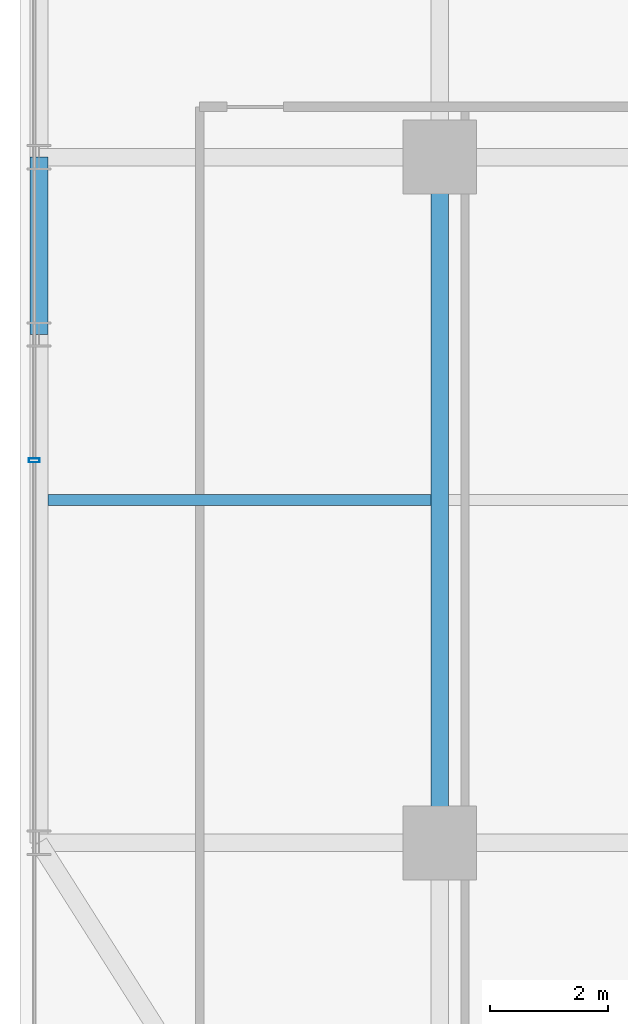
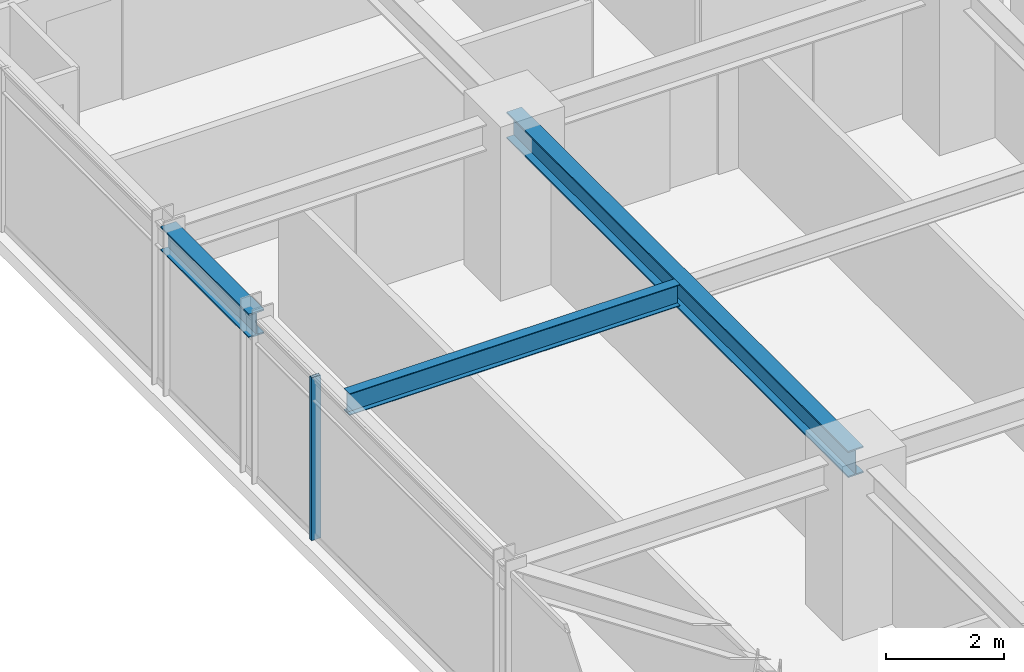
# One storey, part 7 of 33: 3 beams, 1 member, 1 element without a shape of its own.
"""IFC4 building model written with IfcOpenShell, lengths in metres."""

from ifc_helpers import new_model, si_unit, direction, frame, origin, origin_2d, place, context, subcontext, project, spatial, hollow_rectangle, i_section, extrude, source, transform, mapped, material, material_profile, profile_set, type_object, element, aggregate, save


model = new_model("IFC4")

# Units and contexts
model_context = context("Model", 3, precision=1e-05, world=origin(), true_north=direction((0.0, 1.0)))
body_context = subcontext(model_context, "Body", "Model", "MODEL_VIEW")
ifc_project = project(units=[si_unit("LENGTHUNIT", "METRE"), si_unit("AREAUNIT", "SQUARE_METRE"), si_unit("VOLUMEUNIT", "CUBIC_METRE"), si_unit("PLANEANGLEUNIT", "RADIAN"), si_unit("MASSUNIT", "GRAM", prefix="KILO")], contexts=[model_context])

# Site, building, storey
site_placement = place(None, origin())
site = spatial("IfcSite", under=ifc_project, at=site_placement, CompositionType="ELEMENT")
building_placement = place(site_placement, origin())
building = spatial("IfcBuilding", under=site, at=building_placement, Name="Nahalor Promenade Grand Hotel", CompositionType="ELEMENT")
storey_placement = place(building_placement, frame((0.0, 0.0, 117.5)))
storey = spatial("IfcBuildingStorey", under=building, at=storey_placement, Name="L29", CompositionType="ELEMENT", Elevation=117.5)

# Beams
ifc_material_1 = material(Name="Steel S355JR", Category="steel")
ifc_material_profile_1 = material_profile(ifc_material_1, i_section(OverallWidth=0.3, OverallDepth=0.5, WebThickness=0.0145, FlangeThickness=0.028, at=origin_2d()), Name="HEB 500")
ifc_profile_set_1 = profile_set([ifc_material_profile_1], Name="Steel S355JR")
beam_type_1 = type_object("IfcBeamType", Name="Beam-Spandrel-HEB500", PredefinedType="SPANDREL", material=ifc_profile_set_1)
shared_shape_1 = source(origin(), body_context, "Body", "SweptSolid", [
    extrude(i_section(OverallWidth=0.3, OverallDepth=0.5, WebThickness=0.0145, FlangeThickness=0.028, at=origin_2d()), origin(), (0.0, 0.0, 1.0), 3.0),
])
beam_1_placement = place(storey_placement, frame((-23.780029296875, -8.39990234375, 3.1298828125), z_axis=(0.0, 1.0, 0.0), x_axis=(-1.0, 0.0, 0.0)))
element("IfcBeam", 1, at=beam_1_placement, inside=storey, type_object=beam_type_1, Name="BM-L29-SP-W-1", PredefinedType="SPANDREL", context=body_context, shape_type="MappedRepresentation", body=[
    mapped(shared_shape_1, transform((0.0, 0.0, 0.0), scale=1.0)),
])
ifc_material_profile_2 = material_profile(ifc_material_1, i_section(OverallWidth=0.3, OverallDepth=0.55, WebThickness=0.015, FlangeThickness=0.029, at=origin_2d()), Name="HEB 550")
ifc_profile_set_2 = profile_set([ifc_material_profile_2], Name="Steel S355JR")
beam_type_2 = type_object("IfcBeamType", Name="Beam-Girder-HEB550", PredefinedType="BEAM", material=ifc_profile_set_2)
shared_shape_2 = source(origin(), body_context, "Body", "SweptSolid", [
    extrude(i_section(OverallWidth=0.3, OverallDepth=0.55, WebThickness=0.015, FlangeThickness=0.029, at=origin_2d()), origin(), (0.0, 0.0, 1.0), 11.60009765625),
])
beam_2_placement = place(storey_placement, frame((-17.0, -17.0, 3.10498046875), z_axis=(0.0, 1.0, 0.0), x_axis=(-1.0, 0.0, 0.0)))
element("IfcBeam", 2, at=beam_2_placement, inside=storey, type_object=beam_type_2, Name="BM-L29-GY-0-1", PredefinedType="BEAM", context=body_context, shape_type="MappedRepresentation", body=[
    mapped(shared_shape_2, transform((0.0, 0.0, 0.0), scale=1.0)),
])
ifc_material_profile_3 = material_profile(ifc_material_1, i_section(OverallWidth=0.19, OverallDepth=0.45, WebThickness=0.0094, FlangeThickness=0.0146, at=origin_2d()), Name="IPE 450")
ifc_profile_set_3 = profile_set([ifc_material_profile_3], Name="Steel S355JR")
beam_type_3 = type_object("IfcBeamType", Name="Beam-Joist-IPE450", PredefinedType="JOIST", material=ifc_profile_set_3)
shared_shape_3 = source(origin(), body_context, "Body", "SweptSolid", [
    extrude(i_section(OverallWidth=0.19, OverallDepth=0.45, WebThickness=0.0094, FlangeThickness=0.0146, at=origin_2d()), origin(), (0.0, 0.0, 1.0), 6.47998046875),
])
beam_3_placement = place(storey_placement, frame((-23.6298828125, -11.199951171875, 3.155029296875), z_axis=(1.0, 0.0, 0.0), x_axis=(0.0, 1.0, 0.0)))
element("IfcBeam", 3, at=beam_3_placement, inside=storey, type_object=beam_type_3, Name="BM-L29-JSW-0-0", PredefinedType="JOIST", context=body_context, shape_type="MappedRepresentation", body=[
    mapped(shared_shape_3, transform((0.0, 0.0, 0.0), scale=1.0)),
])

# Curtain wall, member
ifc_material_2 = material(Name="Anodised Bronze Aluminium EN AW-6063 T6", Category="aluminium")
curtain_wall_type = type_object("IfcCurtainWallType", Name="CW2 Typical Hotel Flush Bronze Unitised Curtain Wall", PredefinedType="USERDEFINED", material=ifc_material_2)
curtain_wall_placement = place(storey_placement, origin())
curtain_wall = element("IfcCurtainWall", 4, at=curtain_wall_placement, inside=storey, type_object=curtain_wall_type, Name="L29 Curtain Wall CW-L29-W-1", ObjectType="UNITISED_CURTAIN_WALL", PredefinedType="USERDEFINED")
ifc_material_profile_4 = material_profile(ifc_material_2, hollow_rectangle(XDim=0.065, YDim=0.18, WallThickness=0.004, at=origin_2d()), Name="CWM 65x180x4")
ifc_profile_set_4 = profile_set([ifc_material_profile_4], Name="Anodised Bronze Aluminium EN AW-6063 T6")
member_type = type_object("IfcMemberType", Name="CWM2 Typical Bronze Mullion 65x180", PredefinedType="MULLION", material=ifc_profile_set_4)
shared_shape_4 = source(origin(), body_context, "Body", "SweptSolid", [
    extrude(hollow_rectangle(XDim=0.065, YDim=0.18, WallThickness=0.004, at=origin_2d()), origin(), (0.0, 0.0, 1.0), 3.3798828125),
])
member_placement = place(storey_placement, frame((-23.860107421875, -10.530029296875, 0.0), z_axis=(0.0, 0.0, 1.0), x_axis=(0.0, 1.0, 0.0)))
member = element("IfcMember", 5, at=member_placement, type_object=member_type, Name="CW-L29-W-1 Mullion 1", PredefinedType="MULLION", context=body_context, shape_type="MappedRepresentation", body=[
    mapped(shared_shape_4, transform((0.0, 0.0, 0.0), scale=1.0)),
])
aggregate(curtain_wall, [member])

save(model, "model.ifc")
